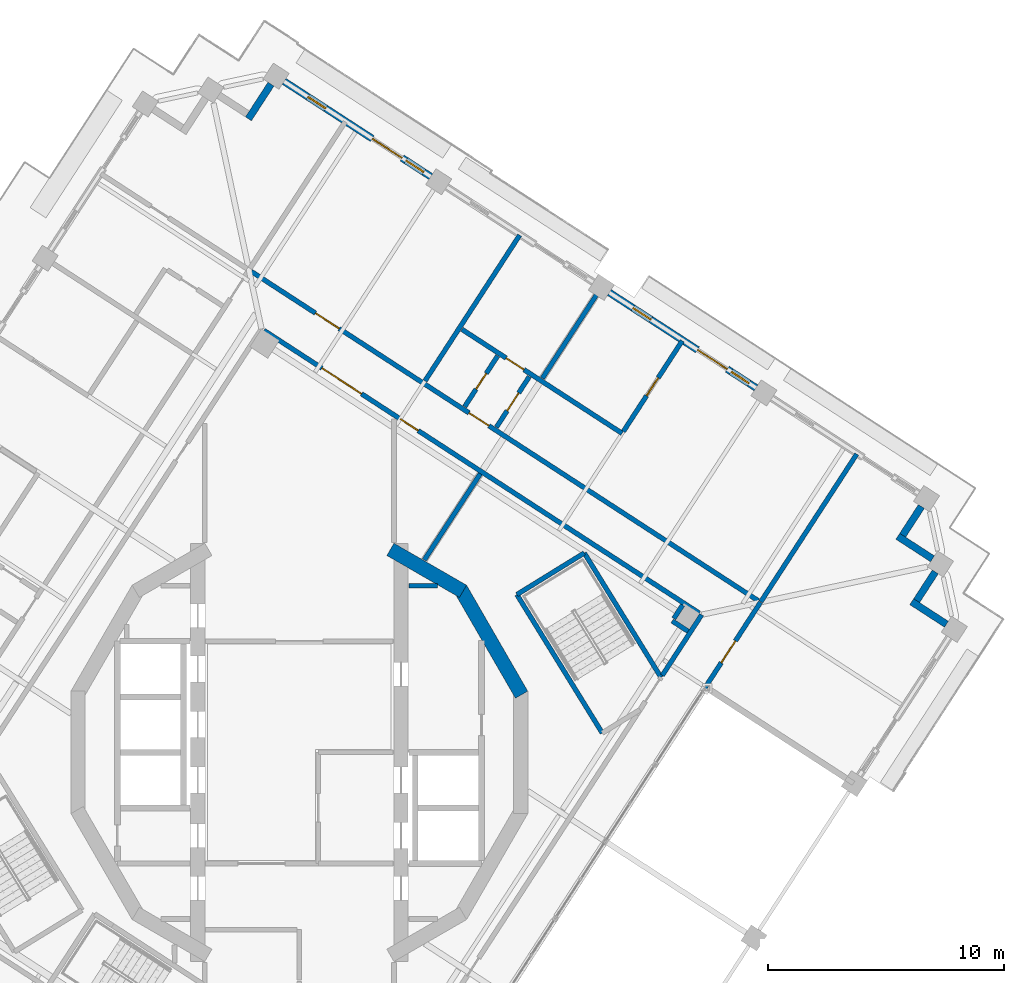
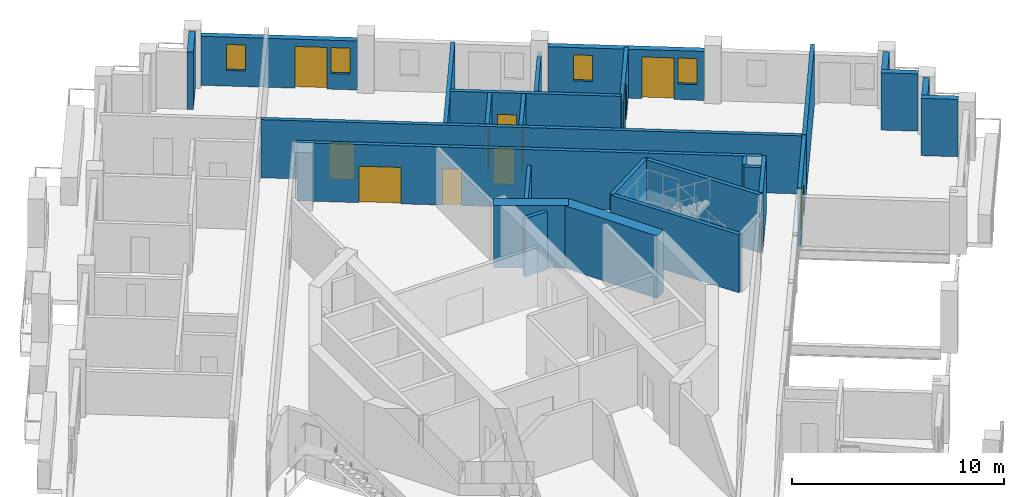
# One storey, part 10 of 17: 27 walls, 11 doors, 4 windows, 15 openings.
"""IFC4 building model written with IfcOpenShell, lengths in metres."""

from ifc_helpers import new_model, si_unit, direction, frame, frame_2d, origin, place, context, subcontext, project, spatial, rectangle, extrude, material, layer, layer_set, type_object, element, fill, save


model = new_model("IFC4")

# Units and contexts
model_context = context("Model", 3, precision=1e-05, world=origin(), true_north=direction((0.0, 1.0)))
body_context = subcontext(model_context, "Body", "Model", "MODEL_VIEW")
ifc_project = project(units=[si_unit("LENGTHUNIT", "METRE"), si_unit("AREAUNIT", "SQUARE_METRE"), si_unit("VOLUMEUNIT", "CUBIC_METRE"), si_unit("PLANEANGLEUNIT", "RADIAN"), si_unit("MASSUNIT", "GRAM", prefix="KILO")], contexts=[model_context])

# Site, building, storey
site_placement = place(None, origin())
site = spatial("IfcSite", under=ifc_project, at=site_placement, CompositionType="ELEMENT")
building_placement = place(site_placement, origin())
building = spatial("IfcBuilding", under=site, at=building_placement, Name="Cantera Rosa Tower", CompositionType="ELEMENT")
storey_placement = place(building_placement, frame((0.0, 0.0, 268.5)))
storey = spatial("IfcBuildingStorey", under=building, at=storey_placement, Name="L60", CompositionType="ELEMENT", Elevation=268.5)

# Wall, opening, door
ifc_material_1 = material(Name="Gypsum board partition")
ifc_layer_1 = layer(ifc_material_1, 0.199951171875)
ifc_layer_set_1 = layer_set([ifc_layer_1], Name="CORRIDOR WALL 200 H3350")
wall_type_1 = type_object("IfcWallType", Name="CORRIDOR WALL 200 H3350", PredefinedType="PARTITIONING", material=ifc_layer_set_1)
wall_1_placement = place(storey_placement, frame((17.106689453125, 2.656494140625, 0.0), z_axis=(0.0, 0.0, 1.0), x_axis=(0.544620124776, 0.838682848095, 0.0)))
wall_1 = element("IfcWall", 1, at=wall_1_placement, inside=storey, type_object=wall_type_1, Name="CORRIDOR WALL L60-069", PredefinedType="PARTITIONING", context=body_context, shape_type="SweptSolid", body=[
    extrude(rectangle(XDim=4.4052734375, YDim=0.199951171875, at=frame_2d((2.20263671875, 0.0))), origin(), (0.0, 0.0, 1.0), 3.35009765625),
])
opening_1_placement = place(wall_1_placement, frame((1.35498046875, 0.0, 0.0)))
opening_1 = element("IfcOpeningElement", 2, at=opening_1_placement, cuts=wall_1, Name="Opening L60-048", PredefinedType="OPENING", context=body_context, shape_type="SweptSolid", body=[
    extrude(rectangle(XDim=1.10009765625, YDim=2.10009765625, at=frame_2d((0.550048828125, 1.050048828125))), frame((0.0, 0.10986328125, 0.0), z_axis=(0.0, -1.0, 0.0), x_axis=(1.0, 0.0, 0.0)), (0.0, 0.0, 1.0), 0.219970703125),
])
ifc_material_2 = material(Name="Timber door leaf", Category="wood")
door_type_1 = type_object("IfcDoorType", Name="ROOM DOOR 1100x2100", OperationType="NOTDEFINED", PredefinedType="DOOR", material=ifc_material_2)
door_1_placement = place(opening_1_placement, origin())
door_1 = element("IfcDoor", 3, at=door_1_placement, inside=storey, type_object=door_type_1, Name="DOOR L60-048", OperationType="NOTDEFINED", OverallHeight=2.10009765625, OverallWidth=1.10009765625, PredefinedType="DOOR", context=body_context, shape_type="SweptSolid", body=[
    extrude(rectangle(XDim=1.10009765625, YDim=2.10009765625, at=frame_2d((0.550048828125, 1.050048828125))), frame((0.0, 0.02490234375, 0.0), z_axis=(0.0, -1.0, 0.0), x_axis=(1.0, 0.0, 0.0)), (0.0, 0.0, 1.0), 0.050048828125),
])
fill(opening_1, door_1)

# Wall
wall_2_placement = place(storey_placement, frame((15.349853515625, 3.256103515625, 0.0), z_axis=(0.0, 0.0, 1.0), x_axis=(0.544603984755, 0.838693328809, 0.0)))
element("IfcWall", 4, at=wall_2_placement, inside=storey, type_object=wall_type_1, Name="CORRIDOR WALL L60-096", PredefinedType="PARTITIONING", context=body_context, shape_type="SweptSolid", body=[
    extrude(rectangle(XDim=3.05908203125, YDim=0.199951171875, at=frame_2d((1.529541015625, 0.0))), origin(), (0.0, 0.0, 1.0), 3.35009765625),
])

# Wall, openings, doors
wall_3_placement = place(storey_placement, frame((16.915283203125, 5.88720703125, 0.0), z_axis=(0.0, 0.0, 1.0), x_axis=(-0.838672399173, 0.544636215161, 0.0)))
wall_3 = element("IfcWall", 5, at=wall_3_placement, inside=storey, type_object=wall_type_1, Name="CORRIDOR WALL L60-100", PredefinedType="PARTITIONING", context=body_context, shape_type="SweptSolid", body=[
    extrude(rectangle(XDim=21.9599609375, YDim=0.199951171875, at=frame_2d((10.97998046875, 0.0))), origin(), (0.0, 0.0, 1.0), 3.35009765625),
])
opening_2_placement = place(wall_3_placement, frame((14.17626953125, 0.0, 0.0)))
opening_2 = element("IfcOpeningElement", 6, at=opening_2_placement, cuts=wall_3, Name="Opening L60-004", PredefinedType="OPENING", context=body_context, shape_type="SweptSolid", body=[
    extrude(rectangle(XDim=0.89990234375, YDim=2.10009765625, at=frame_2d((0.449951171875, 1.050048828125))), frame((0.0, 0.10986328125, 0.0), z_axis=(0.0, -1.0, 0.0), x_axis=(1.0, 0.0, 0.0)), (0.0, 0.0, 1.0), 0.219970703125),
])
opening_3_placement = place(wall_3_placement, frame((17.030029296875, 0.0, 0.0)))
opening_3 = element("IfcOpeningElement", 7, at=opening_3_placement, cuts=wall_3, Name="Opening L60-008", PredefinedType="OPENING", context=body_context, shape_type="SweptSolid", body=[
    extrude(rectangle(XDim=2.0, YDim=2.10009765625, at=frame_2d((1.0, 1.050048828125))), frame((0.0, 0.10986328125, 0.0), z_axis=(0.0, -1.0, 0.0), x_axis=(1.0, 0.0, 0.0)), (0.0, 0.0, 1.0), 0.219970703125),
])
ifc_material_3 = material(Name="Steel S355J2 (EN 10025-2)", Category="steel")
door_type_2 = type_object("IfcDoorType", Name="LOBBY SCREEN DOOR 2000x2100", OperationType="NOTDEFINED", PredefinedType="DOOR", material=ifc_material_3)
door_2_placement = place(opening_3_placement, origin())
door_2 = element("IfcDoor", 8, at=door_2_placement, inside=storey, type_object=door_type_2, Name="DOOR L60-008", OperationType="NOTDEFINED", OverallHeight=2.10009765625, OverallWidth=2.0, PredefinedType="DOOR", context=body_context, shape_type="SweptSolid", body=[
    extrude(rectangle(XDim=2.0, YDim=2.10009765625, at=frame_2d((1.0, 1.050048828125))), frame((0.0, 0.02490234375, 0.0), z_axis=(0.0, -1.0, 0.0), x_axis=(1.0, 0.0, 0.0)), (0.0, 0.0, 1.0), 0.050048828125),
])
fill(opening_3, door_2)
ifc_material_4 = material(Name="Timber door leaf", Category="wood")
door_type_3 = type_object("IfcDoorType", Name="SERVICE DOOR 900x2100", OperationType="NOTDEFINED", PredefinedType="DOOR", material=ifc_material_4)
door_3_placement = place(opening_2_placement, origin())
door_3 = element("IfcDoor", 9, at=door_3_placement, inside=storey, type_object=door_type_3, Name="DOOR L60-004", OperationType="NOTDEFINED", OverallHeight=2.10009765625, OverallWidth=0.89990234375, PredefinedType="DOOR", context=body_context, shape_type="SweptSolid", body=[
    extrude(rectangle(XDim=0.89990234375, YDim=2.10009765625, at=frame_2d((0.449951171875, 1.050048828125))), frame((0.0, 0.02490234375, 0.0), z_axis=(0.0, -1.0, 0.0), x_axis=(1.0, 0.0, 0.0)), (0.0, 0.0, 1.0), 0.050048828125),
])
fill(opening_2, door_3)

wall_4_placement = place(storey_placement, frame((19.4052734375, 6.416259765625, 0.0), z_axis=(0.0, 0.0, 1.0), x_axis=(-0.838668754336, 0.544641827718, 0.0)))
wall_4 = element("IfcWall", 10, at=wall_4_placement, inside=storey, type_object=wall_type_1, Name="CORRIDOR WALL L60-101", PredefinedType="PARTITIONING", context=body_context, shape_type="SweptSolid", body=[
    extrude(rectangle(XDim=25.56005859375, YDim=0.199951171875, at=frame_2d((12.780029296875, 0.0))), origin(), (0.0, 0.0, 1.0), 3.35009765625),
])
opening_4_placement = place(wall_4_placement, frame((13.580078125, 0.0, 0.0)))
opening_4 = element("IfcOpeningElement", 11, at=opening_4_placement, cuts=wall_4, Name="Opening L60-019", PredefinedType="OPENING", context=body_context, shape_type="SweptSolid", body=[
    extrude(rectangle(XDim=1.0, YDim=2.10009765625, at=frame_2d((0.5, 1.050048828125))), frame((0.0, 0.10986328125, 0.0), z_axis=(0.0, -1.0, 0.0), x_axis=(1.0, 0.0, 0.0)), (0.0, 0.0, 1.0), 0.219970703125),
])
opening_5_placement = place(wall_4_placement, frame((21.1298828125, 0.0, 0.0)))
opening_5 = element("IfcOpeningElement", 12, at=opening_5_placement, cuts=wall_4, Name="Opening L60-024", PredefinedType="OPENING", context=body_context, shape_type="SweptSolid", body=[
    extrude(rectangle(XDim=1.199951171875, YDim=2.10009765625, at=frame_2d((0.60009765625, 1.050048828125))), frame((0.0, 0.10986328125, 0.0), z_axis=(0.0, -1.0, 0.0), x_axis=(1.0, 0.0, 0.0)), (0.0, 0.0, 1.0), 0.219970703125),
])
ifc_material_5 = material(Name="Timber door leaf", Category="wood")
door_type_4 = type_object("IfcDoorType", Name="ENTRANCE DOOR 1000x2100", OperationType="NOTDEFINED", PredefinedType="DOOR", material=ifc_material_5)
door_4_placement = place(opening_4_placement, origin())
door_4 = element("IfcDoor", 13, at=door_4_placement, inside=storey, type_object=door_type_4, Name="DOOR L60-019", OperationType="NOTDEFINED", OverallHeight=2.10009765625, OverallWidth=1.0, PredefinedType="DOOR", context=body_context, shape_type="SweptSolid", body=[
    extrude(rectangle(XDim=1.0, YDim=2.10009765625, at=frame_2d((0.5, 1.050048828125))), frame((0.0, 0.02490234375, 0.0), z_axis=(0.0, -1.0, 0.0), x_axis=(1.0, 0.0, 0.0)), (0.0, 0.0, 1.0), 0.050048828125),
])
fill(opening_4, door_4)
ifc_material_6 = material(Name="Timber door leaf", Category="wood")
door_type_5 = type_object("IfcDoorType", Name="ROOM DOOR 1200x2100", OperationType="NOTDEFINED", PredefinedType="DOOR", material=ifc_material_6)
door_5_placement = place(opening_5_placement, origin())
door_5 = element("IfcDoor", 14, at=door_5_placement, inside=storey, type_object=door_type_5, Name="DOOR L60-024", OperationType="NOTDEFINED", OverallHeight=2.10009765625, OverallWidth=1.199951171875, PredefinedType="DOOR", context=body_context, shape_type="SweptSolid", body=[
    extrude(rectangle(XDim=1.199951171875, YDim=2.10009765625, at=frame_2d((0.60009765625, 1.050048828125))), frame((0.0, 0.02490234375, 0.0), z_axis=(0.0, -1.0, 0.0), x_axis=(1.0, 0.0, 0.0)), (0.0, 0.0, 1.0), 0.050048828125),
])
fill(opening_5, door_5)

# Walls
ifc_material_7 = material(Name="Hollow clay masonry with cantera stone cladding", Category="masonry")
ifc_layer_2 = layer(ifc_material_7, 0.300048828125)
ifc_layer_set_2 = layer_set([ifc_layer_2], Name="EW-LOGGIA 300")
wall_type_2 = type_object("IfcWallType", Name="EW-LOGGIA 300", PredefinedType="SOLIDWALL", material=ifc_layer_set_2)
for number, where, z_axis, x_axis, name in (
    (15, (-1.2001953125, 28.263427734375, 0.0), (0.0, 0.0, 1.0), (-0.54461563776, -0.838685761837, 0.0), "EN-L60-W05a"),
    (16, (27.36669921875, 5.41943359375, 0.0), (0.0, 0.0, 1.0), (-0.838685761837, 0.54461563776, 0.0), "EN-L60-W25a"),
):
    element("IfcWall", number, at=place(storey_placement, frame(where, z_axis=z_axis, x_axis=x_axis)), inside=storey, type_object=wall_type_2, Name=name, PredefinedType="SOLIDWALL", context=body_context, shape_type="SweptSolid", body=[
        extrude(rectangle(XDim=1.75, YDim=0.300048828125, at=frame_2d((0.875, 0.0))), origin(), (0.0, 0.0, 1.0), 3.300048828125),
    ])
wall_5_placement = place(storey_placement, frame((26.1064453125, 6.41650390625, 0.0), z_axis=(0.0, 0.0, 1.0), x_axis=(0.54467465438, 0.838647435384, 0.0)))
element("IfcWall", 17, at=wall_5_placement, inside=storey, type_object=wall_type_2, Name="EN-L60-W25b", PredefinedType="SOLIDWALL", context=body_context, shape_type="SweptSolid", body=[
    extrude(rectangle(XDim=1.449951171875, YDim=0.300048828125, at=frame_2d((0.72509765625, 0.0))), origin(), (0.0, 0.0, 1.0), 3.300048828125),
])
wall_6_placement = place(storey_placement, frame((26.778564453125, 8.18603515625, 0.0), z_axis=(0.0, 0.0, 1.0), x_axis=(-0.838685761837, 0.54461563776, 0.0)))
element("IfcWall", 18, at=wall_6_placement, inside=storey, type_object=wall_type_2, Name="EN-L60-W26a", PredefinedType="SOLIDWALL", context=body_context, shape_type="SweptSolid", body=[
    extrude(rectangle(XDim=1.75, YDim=0.300048828125, at=frame_2d((0.875, 0.0))), origin(), (0.0, 0.0, 1.0), 3.300048828125),
])
wall_7_placement = place(storey_placement, frame((25.518310546875, 9.18310546875, 0.0), z_axis=(0.0, 0.0, 1.0), x_axis=(0.54467465438, 0.838647435384, 0.0)))
element("IfcWall", 19, at=wall_7_placement, inside=storey, type_object=wall_type_2, Name="EN-L60-W26b", PredefinedType="SOLIDWALL", context=body_context, shape_type="SweptSolid", body=[
    extrude(rectangle(XDim=1.449951171875, YDim=0.300048828125, at=frame_2d((0.72509765625, 0.0))), origin(), (0.0, 0.0, 1.0), 3.300048828125),
])

# Wall, openings, windows, door
ifc_material_8 = material(Name="Hollow clay masonry with cantera stone cladding", Category="masonry")
ifc_layer_3 = layer(ifc_material_8, 0.300048828125)
ifc_layer_set_3 = layer_set([ifc_layer_3], Name="EW-LOGGIA 300 H2820")
wall_type_3 = type_object("IfcWallType", Name="EW-LOGGIA 300 H2820", PredefinedType="SOLIDWALL", material=ifc_layer_set_3)
wall_8_placement = place(storey_placement, frame((19.3134765625, 15.418701171875, 0.0), z_axis=(0.0, 0.0, 1.0), x_axis=(-0.838679465365, 0.544625333946, 0.0)))
wall_8 = element("IfcWall", 20, at=wall_8_placement, inside=storey, type_object=wall_type_3, Name="EN-L60-W02", PredefinedType="SOLIDWALL", context=body_context, shape_type="SweptSolid", body=[
    extrude(rectangle(XDim=7.400146484375, YDim=0.300048828125, at=frame_2d((3.7001953125, 0.0))), origin(), (0.0, 0.0, 1.0), 2.820068359375),
])
opening_6_placement = place(wall_8_placement, frame((0.35009765625, 0.0, 0.89990234375)))
opening_6 = element("IfcOpeningElement", 21, at=opening_6_placement, cuts=wall_8, Name="Opening L60-W04", PredefinedType="OPENING", context=body_context, shape_type="SweptSolid", body=[
    extrude(rectangle(XDim=0.89990234375, YDim=1.5, at=frame_2d((0.449951171875, 0.75))), frame((0.0, 0.159912109375, 0.0), z_axis=(0.0, -1.0, 0.0), x_axis=(1.0, 0.0, 0.0)), (0.0, 0.0, 1.0), 0.320068359375),
])
opening_7_placement = place(wall_8_placement, frame((1.449951171875, 0.0, 0.0)))
opening_7 = element("IfcOpeningElement", 22, at=opening_7_placement, cuts=wall_8, Name="Opening L60-TD05", PredefinedType="OPENING", context=body_context, shape_type="SweptSolid", body=[
    extrude(rectangle(XDim=1.5, YDim=2.39990234375, at=frame_2d((0.75, 1.199951171875))), frame((0.0, 0.159912109375, 0.0), z_axis=(0.0, -1.0, 0.0), x_axis=(1.0, 0.0, 0.0)), (0.0, 0.0, 1.0), 0.320068359375),
])
opening_8_placement = place(wall_8_placement, frame((5.300048828125, 0.0, 0.89990234375)))
opening_8 = element("IfcOpeningElement", 23, at=opening_8_placement, cuts=wall_8, Name="Opening L60-W06", PredefinedType="OPENING", context=body_context, shape_type="SweptSolid", body=[
    extrude(rectangle(XDim=0.89990234375, YDim=1.5, at=frame_2d((0.449951171875, 0.75))), frame((0.0, 0.159912109375, 0.0), z_axis=(0.0, -1.0, 0.0), x_axis=(1.0, 0.0, 0.0)), (0.0, 0.0, 1.0), 0.320068359375),
])
ifc_material_9 = material(Name="Aluminium frame with clear glass", Category="aluminium")
window_type = type_object("IfcWindowType", Name="Residential window 900x1500", PartitioningType="SINGLE_PANEL", PredefinedType="WINDOW", material=ifc_material_9)
window_1_placement = place(opening_6_placement, origin())
window_1 = element("IfcWindow", 24, at=window_1_placement, inside=storey, type_object=window_type, Name="WINDOW L60-W04", OverallHeight=1.5, OverallWidth=0.89990234375, PartitioningType="SINGLE_PANEL", PredefinedType="WINDOW", context=body_context, shape_type="SweptSolid", body=[
    extrude(rectangle(XDim=0.89990234375, YDim=1.5, at=frame_2d((0.449951171875, 0.75))), frame((0.0, 0.030029296875, 0.0), z_axis=(0.0, -1.0, 0.0), x_axis=(1.0, 0.0, 0.0)), (0.0, 0.0, 1.0), 0.06005859375),
])
fill(opening_6, window_1)
window_2_placement = place(opening_8_placement, origin())
window_2 = element("IfcWindow", 25, at=window_2_placement, inside=storey, type_object=window_type, Name="WINDOW L60-W06", OverallHeight=1.5, OverallWidth=0.89990234375, PartitioningType="SINGLE_PANEL", PredefinedType="WINDOW", context=body_context, shape_type="SweptSolid", body=[
    extrude(rectangle(XDim=0.89990234375, YDim=1.5, at=frame_2d((0.449951171875, 0.75))), frame((0.0, 0.030029296875, 0.0), z_axis=(0.0, -1.0, 0.0), x_axis=(1.0, 0.0, 0.0)), (0.0, 0.0, 1.0), 0.06005859375),
])
fill(opening_8, window_2)
ifc_material_10 = material(Name="Aluminium frame with clear glass", Category="aluminium")
door_type_6 = type_object("IfcDoorType", Name="TD-R 1500x2400", OperationType="NOTDEFINED", PredefinedType="DOOR", material=ifc_material_10)
door_6_placement = place(opening_7_placement, origin())
door_6 = element("IfcDoor", 26, at=door_6_placement, inside=storey, type_object=door_type_6, Name="LOGGIA DOOR L60-TD05", OperationType="SLIDING_TO_LEFT", OverallHeight=2.39990234375, OverallWidth=1.5, PredefinedType="DOOR", context=body_context, shape_type="SweptSolid", body=[
    extrude(rectangle(XDim=1.5, YDim=2.39990234375, at=frame_2d((0.75, 1.199951171875))), frame((0.0, 0.02490234375, 0.0), z_axis=(0.0, -1.0, 0.0), x_axis=(1.0, 0.0, 0.0)), (0.0, 0.0, 1.0), 0.050048828125),
])
fill(opening_7, door_6)

wall_9_placement = place(storey_placement, frame((5.559326171875, 24.350830078125, 0.0), z_axis=(0.0, 0.0, 1.0), x_axis=(-0.838679465365, 0.544625333946, 0.0)))
wall_9 = element("IfcWall", 27, at=wall_9_placement, inside=storey, type_object=wall_type_3, Name="EN-L60-W04", PredefinedType="SOLIDWALL", context=body_context, shape_type="SweptSolid", body=[
    extrude(rectangle(XDim=7.400146484375, YDim=0.300048828125, at=frame_2d((3.7001953125, 0.0))), origin(), (0.0, 0.0, 1.0), 2.820068359375),
])
opening_9_placement = place(wall_9_placement, frame((0.35009765625, 0.0, 0.89990234375)))
opening_9 = element("IfcOpeningElement", 28, at=opening_9_placement, cuts=wall_9, Name="Opening L60-W10", PredefinedType="OPENING", context=body_context, shape_type="SweptSolid", body=[
    extrude(rectangle(XDim=0.89990234375, YDim=1.5, at=frame_2d((0.449951171875, 0.75))), frame((0.0, 0.159912109375, 0.0), z_axis=(0.0, -1.0, 0.0), x_axis=(1.0, 0.0, 0.0)), (0.0, 0.0, 1.0), 0.320068359375),
])
opening_10_placement = place(wall_9_placement, frame((1.449951171875, 0.0, 0.0)))
opening_10 = element("IfcOpeningElement", 29, at=opening_10_placement, cuts=wall_9, Name="Opening L60-TD11", PredefinedType="OPENING", context=body_context, shape_type="SweptSolid", body=[
    extrude(rectangle(XDim=1.5, YDim=2.39990234375, at=frame_2d((0.75, 1.199951171875))), frame((0.0, 0.159912109375, 0.0), z_axis=(0.0, -1.0, 0.0), x_axis=(1.0, 0.0, 0.0)), (0.0, 0.0, 1.0), 0.320068359375),
])
opening_11_placement = place(wall_9_placement, frame((5.300048828125, 0.0, 0.89990234375)))
opening_11 = element("IfcOpeningElement", 30, at=opening_11_placement, cuts=wall_9, Name="Opening L60-W12", PredefinedType="OPENING", context=body_context, shape_type="SweptSolid", body=[
    extrude(rectangle(XDim=0.89990234375, YDim=1.5, at=frame_2d((0.449951171875, 0.75))), frame((0.0, 0.159912109375, 0.0), z_axis=(0.0, -1.0, 0.0), x_axis=(1.0, 0.0, 0.0)), (0.0, 0.0, 1.0), 0.320068359375),
])
window_3_placement = place(opening_9_placement, origin())
window_3 = element("IfcWindow", 31, at=window_3_placement, inside=storey, type_object=window_type, Name="WINDOW L60-W10", OverallHeight=1.5, OverallWidth=0.89990234375, PartitioningType="SINGLE_PANEL", PredefinedType="WINDOW", context=body_context, shape_type="SweptSolid", body=[
    extrude(rectangle(XDim=0.89990234375, YDim=1.5, at=frame_2d((0.449951171875, 0.75))), frame((0.0, 0.030029296875, 0.0), z_axis=(0.0, -1.0, 0.0), x_axis=(1.0, 0.0, 0.0)), (0.0, 0.0, 1.0), 0.06005859375),
])
fill(opening_9, window_3)
window_4_placement = place(opening_11_placement, origin())
window_4 = element("IfcWindow", 32, at=window_4_placement, inside=storey, type_object=window_type, Name="WINDOW L60-W12", OverallHeight=1.5, OverallWidth=0.89990234375, PartitioningType="SINGLE_PANEL", PredefinedType="WINDOW", context=body_context, shape_type="SweptSolid", body=[
    extrude(rectangle(XDim=0.89990234375, YDim=1.5, at=frame_2d((0.449951171875, 0.75))), frame((0.0, 0.030029296875, 0.0), z_axis=(0.0, -1.0, 0.0), x_axis=(1.0, 0.0, 0.0)), (0.0, 0.0, 1.0), 0.06005859375),
])
fill(opening_11, window_4)
door_7_placement = place(opening_10_placement, origin())
door_7 = element("IfcDoor", 33, at=door_7_placement, inside=storey, type_object=door_type_6, Name="LOGGIA DOOR L60-TD11", OperationType="SLIDING_TO_LEFT", OverallHeight=2.39990234375, OverallWidth=1.5, PredefinedType="DOOR", context=body_context, shape_type="SweptSolid", body=[
    extrude(rectangle(XDim=1.5, YDim=2.39990234375, at=frame_2d((0.75, 1.199951171875))), frame((0.0, 0.02490234375, 0.0), z_axis=(0.0, -1.0, 0.0), x_axis=(1.0, 0.0, 0.0)), (0.0, 0.0, 1.0), 0.050048828125),
])
fill(opening_10, door_7)

# Walls
ifc_material_11 = material(Name="Gypsum board partition")
ifc_layer_4 = layer(ifc_material_11, 0.199951171875)
ifc_layer_set_4 = layer_set([ifc_layer_4], Name="PARTITION 200 H2450")
wall_type_4 = type_object("IfcWallType", Name="PARTITION 200 H2450", PredefinedType="PARTITIONING", material=ifc_layer_set_4)
wall_10_placement = place(storey_placement, frame((7.652099609375, 11.783203125, 0.0), z_axis=(0.0, 0.0, 1.0), x_axis=(-0.544629041503, -0.838677057724, 0.0)))
element("IfcWall", 34, at=wall_10_placement, inside=storey, type_object=wall_type_4, Name="PARTITION L60-082", PredefinedType="PARTITIONING", context=body_context, shape_type="SweptSolid", body=[
    extrude(rectangle(XDim=4.347412109375, YDim=0.199951171875, at=frame_2d((2.173828125, 0.0))), origin(), (0.0, 0.0, 1.0), 2.449951171875),
])
wall_11_placement = place(storey_placement, frame((12.75537109375, 19.6416015625, 0.0), z_axis=(0.0, 0.0, 1.0), x_axis=(-0.544629951314, -0.8386764669, 0.0)))
element("IfcWall", 35, at=wall_11_placement, inside=storey, type_object=wall_type_4, Name="PARTITION L60-091", PredefinedType="PARTITIONING", context=body_context, shape_type="SweptSolid", body=[
    extrude(rectangle(XDim=4.550048828125, YDim=0.199951171875, at=frame_2d((2.27490234375, 0.0))), origin(), (0.0, 0.0, 1.0), 2.449951171875),
])

# Wall, opening, door
ifc_material_12 = material(Name="Gypsum board partition")
ifc_layer_5 = layer(ifc_material_12, 0.199951171875)
ifc_layer_set_5 = layer_set([ifc_layer_5], Name="PARTITION 200 H2850")
wall_type_5 = type_object("IfcWallType", Name="PARTITION 200 H2850", PredefinedType="PARTITIONING", material=ifc_layer_set_5)
wall_12_placement = place(storey_placement, frame((16.194091796875, 17.40869140625, 0.0), z_axis=(0.0, 0.0, 1.0), x_axis=(-0.544637163551, -0.838671783285, 0.0)))
wall_12 = element("IfcWall", 36, at=wall_12_placement, inside=storey, type_object=wall_type_5, Name="PARTITION L60-098", PredefinedType="PARTITIONING", context=body_context, shape_type="SweptSolid", body=[
    extrude(rectangle(XDim=4.570068359375, YDim=0.199951171875, at=frame_2d((2.28515625, 0.0))), origin(), (0.0, 0.0, 1.0), 2.85009765625),
])
opening_12_placement = place(wall_12_placement, frame((1.8701171875, 0.0, 0.0)))
opening_12 = element("IfcOpeningElement", 37, at=opening_12_placement, cuts=wall_12, Name="Opening L60-023", PredefinedType="OPENING", context=body_context, shape_type="SweptSolid", body=[
    extrude(rectangle(XDim=0.89990234375, YDim=2.10009765625, at=frame_2d((0.449951171875, 1.050048828125))), frame((0.0, 0.10986328125, 0.0), z_axis=(0.0, -1.0, 0.0), x_axis=(1.0, 0.0, 0.0)), (0.0, 0.0, 1.0), 0.219970703125),
])
ifc_material_13 = material(Name="Timber door leaf", Category="wood")
door_type_7 = type_object("IfcDoorType", Name="ROOM DOOR 900x2100", OperationType="NOTDEFINED", PredefinedType="DOOR", material=ifc_material_13)
door_8_placement = place(opening_12_placement, origin())
door_8 = element("IfcDoor", 38, at=door_8_placement, inside=storey, type_object=door_type_7, Name="DOOR L60-023", OperationType="NOTDEFINED", OverallHeight=2.10009765625, OverallWidth=0.89990234375, PredefinedType="DOOR", context=body_context, shape_type="SweptSolid", body=[
    extrude(rectangle(XDim=0.89990234375, YDim=2.10009765625, at=frame_2d((0.449951171875, 1.050048828125))), frame((0.0, 0.02490234375, 0.0), z_axis=(0.0, -1.0, 0.0), x_axis=(1.0, 0.0, 0.0)), (0.0, 0.0, 1.0), 0.050048828125),
])
fill(opening_12, door_8)

# Wall
ifc_material_14 = material(Name="Gypsum board partition")
ifc_layer_6 = layer(ifc_material_14, 0.199951171875)
ifc_layer_set_6 = layer_set([ifc_layer_6], Name="PARTITION 200 H3350")
wall_type_6 = type_object("IfcWallType", Name="PARTITION 200 H3350", PredefinedType="PARTITIONING", material=ifc_layer_set_6)
wall_13_placement = place(storey_placement, frame((4.6298828125, 7.050048828125, 0.0), z_axis=(0.0, 0.0, 1.0), x_axis=(1.0, 0.0, 0.0)))
element("IfcWall", 39, at=wall_13_placement, inside=storey, type_object=wall_type_6, Name="PARTITION L60-074", PredefinedType="PARTITIONING", context=body_context, shape_type="SweptSolid", body=[
    extrude(rectangle(XDim=1.2177734375, YDim=0.199951171875, at=frame_2d((0.60888671875, 0.0))), origin(), (0.0, 0.0, 1.0), 3.35009765625),
])

# Wall, opening, door
wall_14_placement = place(storey_placement, frame((6.8740234375, 17.892578125, 0.0), z_axis=(0.0, 0.0, 1.0), x_axis=(0.838683778362, -0.544618692218, 0.0)))
wall_14 = element("IfcWall", 40, at=wall_14_placement, inside=storey, type_object=wall_type_6, Name="PARTITION L60-078", PredefinedType="PARTITIONING", context=body_context, shape_type="SweptSolid", body=[
    extrude(rectangle(XDim=8.079833984375, YDim=0.199951171875, at=frame_2d((4.0400390625, 0.0))), origin(), (0.0, 0.0, 1.0), 3.35009765625),
])
opening_13_placement = place(wall_14_placement, frame((2.22998046875, 0.0, 0.0)))
opening_13 = element("IfcOpeningElement", 41, at=opening_13_placement, cuts=wall_14, Name="Opening L60-022", PredefinedType="OPENING", context=body_context, shape_type="SweptSolid", body=[
    extrude(rectangle(XDim=0.89990234375, YDim=2.10009765625, at=frame_2d((0.449951171875, 1.050048828125))), frame((0.0, 0.10986328125, 0.0), z_axis=(0.0, -1.0, 0.0), x_axis=(1.0, 0.0, 0.0)), (0.0, 0.0, 1.0), 0.219970703125),
])
door_9_placement = place(opening_13_placement, origin())
door_9 = element("IfcDoor", 42, at=door_9_placement, inside=storey, type_object=door_type_7, Name="DOOR L60-022", OperationType="NOTDEFINED", OverallHeight=2.10009765625, OverallWidth=0.89990234375, PredefinedType="DOOR", context=body_context, shape_type="SweptSolid", body=[
    extrude(rectangle(XDim=0.89990234375, YDim=2.10009765625, at=frame_2d((0.449951171875, 1.050048828125))), frame((0.0, 0.02490234375, 0.0), z_axis=(0.0, -1.0, 0.0), x_axis=(1.0, 0.0, 0.0)), (0.0, 0.0, 1.0), 0.050048828125),
])
fill(opening_13, door_9)

wall_15_placement = place(storey_placement, frame((8.385498046875, 16.768310546875, 0.0), z_axis=(0.0, 0.0, 1.0), x_axis=(-0.544602829464, -0.838694078994, 0.0)))
wall_15 = element("IfcWall", 43, at=wall_15_placement, inside=storey, type_object=wall_type_6, Name="PARTITION L60-084", PredefinedType="PARTITIONING", context=body_context, shape_type="SweptSolid", body=[
    extrude(rectangle(XDim=2.560302734375, YDim=0.199951171875, at=frame_2d((1.2802734375, 0.0))), origin(), (0.0, 0.0, 1.0), 3.35009765625),
])
opening_14_placement = place(wall_15_placement, frame((0.8798828125, 0.0, 0.0)))
opening_14 = element("IfcOpeningElement", 44, at=opening_14_placement, cuts=wall_15, Name="Opening L60-020", PredefinedType="OPENING", context=body_context, shape_type="SweptSolid", body=[
    extrude(rectangle(XDim=0.800048828125, YDim=2.10009765625, at=frame_2d((0.39990234375, 1.050048828125))), frame((0.0, 0.10986328125, 0.0), z_axis=(0.0, -1.0, 0.0), x_axis=(1.0, 0.0, 0.0)), (0.0, 0.0, 1.0), 0.219970703125),
])
ifc_material_15 = material(Name="Timber door leaf", Category="wood")
door_type_8 = type_object("IfcDoorType", Name="BATHROOM DOOR 800x2100", OperationType="NOTDEFINED", PredefinedType="DOOR", material=ifc_material_15)
door_10_placement = place(opening_14_placement, origin())
door_10 = element("IfcDoor", 45, at=door_10_placement, inside=storey, type_object=door_type_8, Name="DOOR L60-020", OperationType="NOTDEFINED", OverallHeight=2.10009765625, OverallWidth=0.800048828125, PredefinedType="DOOR", context=body_context, shape_type="SweptSolid", body=[
    extrude(rectangle(XDim=0.800048828125, YDim=2.10009765625, at=frame_2d((0.39990234375, 1.050048828125))), frame((0.0, 0.02490234375, 0.0), z_axis=(0.0, -1.0, 0.0), x_axis=(1.0, 0.0, 0.0)), (0.0, 0.0, 1.0), 0.050048828125),
])
fill(opening_14, door_10)

wall_16_placement = place(storey_placement, frame((9.727294921875, 15.896728515625, 0.0), z_axis=(0.0, 0.0, 1.0), x_axis=(-0.544646388536, -0.838665792468, 0.0)))
wall_16 = element("IfcWall", 46, at=wall_16_placement, inside=storey, type_object=wall_type_6, Name="PARTITION L60-087", PredefinedType="PARTITIONING", context=body_context, shape_type="SweptSolid", body=[
    extrude(rectangle(XDim=2.56005859375, YDim=0.199951171875, at=frame_2d((1.280029296875, 0.0))), origin(), (0.0, 0.0, 1.0), 3.35009765625),
])
opening_15_placement = place(wall_16_placement, frame((0.830078125, 0.0, 0.0)))
opening_15 = element("IfcOpeningElement", 47, at=opening_15_placement, cuts=wall_16, Name="Opening L60-021", PredefinedType="OPENING", context=body_context, shape_type="SweptSolid", body=[
    extrude(rectangle(XDim=0.89990234375, YDim=2.10009765625, at=frame_2d((0.449951171875, 1.050048828125))), frame((0.0, 0.10986328125, 0.0), z_axis=(0.0, -1.0, 0.0), x_axis=(1.0, 0.0, 0.0)), (0.0, 0.0, 1.0), 0.219970703125),
])
door_11_placement = place(opening_15_placement, origin())
door_11 = element("IfcDoor", 48, at=door_11_placement, inside=storey, type_object=door_type_7, Name="DOOR L60-021", OperationType="NOTDEFINED", OverallHeight=2.10009765625, OverallWidth=0.89990234375, PredefinedType="DOOR", context=body_context, shape_type="SweptSolid", body=[
    extrude(rectangle(XDim=0.89990234375, YDim=2.10009765625, at=frame_2d((0.449951171875, 1.050048828125))), frame((0.0, 0.02490234375, 0.0), z_axis=(0.0, -1.0, 0.0), x_axis=(1.0, 0.0, 0.0)), (0.0, 0.0, 1.0), 0.050048828125),
])
fill(opening_15, door_11)

# Walls
wall_17_placement = place(storey_placement, frame((15.77099609375, 5.55712890625, 0.0), z_axis=(0.0, 0.0, 1.0), x_axis=(0.838610911516, -0.544730886847, 0.0)))
element("IfcWall", 49, at=wall_17_placement, inside=storey, type_object=wall_type_6, Name="PARTITION L60-097", PredefinedType="PARTITIONING", context=body_context, shape_type="SweptSolid", body=[
    extrude(rectangle(XDim=0.800048828125, YDim=0.199951171875, at=frame_2d((0.39990234375, 0.0))), origin(), (0.0, 0.0, 1.0), 3.35009765625),
])
wall_18_placement = place(storey_placement, frame((16.20654296875, 6.22802734375, 0.0), z_axis=(0.0, 0.0, 1.0), x_axis=(-0.544634959849, -0.838673214375, 0.0)))
element("IfcWall", 50, at=wall_18_placement, inside=storey, type_object=wall_type_6, Name="PARTITION L60-099", PredefinedType="PARTITIONING", context=body_context, shape_type="SweptSolid", body=[
    extrude(rectangle(XDim=0.679931640625, YDim=0.199951171875, at=frame_2d((0.33984375, 0.0))), origin(), (0.0, 0.0, 1.0), 3.35009765625),
])
ifc_material_16 = material(Name="Gypsum board partition")
ifc_layer_7 = layer(ifc_material_16, 0.199951171875)
ifc_layer_set_7 = layer_set([ifc_layer_7], Name="PARTY WALL 200 H2850")
wall_type_7 = type_object("IfcWallType", Name="PARTY WALL 200 H2850", PredefinedType="PARTITIONING", material=ifc_layer_set_7)
wall_19_placement = place(storey_placement, frame((5.313720703125, 15.71044921875, 0.0), z_axis=(0.0, 0.0, 1.0), x_axis=(0.544641550729, 0.838668934217, 0.0)))
element("IfcWall", 51, at=wall_19_placement, inside=storey, type_object=wall_type_7, Name="PARTY WALL L60-076", PredefinedType="PARTITIONING", context=body_context, shape_type="SweptSolid", body=[
    extrude(rectangle(XDim=7.35009765625, YDim=0.199951171875, at=frame_2d((3.675048828125, 0.0))), origin(), (0.0, 0.0, 1.0), 2.85009765625),
])
ifc_material_17 = material(Name="Gypsum board partition")
ifc_layer_8 = layer(ifc_material_17, 0.199951171875)
ifc_layer_set_8 = layer_set([ifc_layer_8], Name="PARTY WALL 200 H3350")
wall_type_8 = type_object("IfcWallType", Name="PARTY WALL 200 H3350", PredefinedType="PARTITIONING", material=ifc_layer_set_8)
wall_20_placement = place(storey_placement, frame((23.57421875, 12.61572265625, 0.0), z_axis=(0.0, 0.0, 1.0), x_axis=(-0.544647353083, -0.83866516607, 0.0)))
element("IfcWall", 52, at=wall_20_placement, inside=storey, type_object=wall_type_8, Name="PARTY WALL L60-103", PredefinedType="PARTITIONING", context=body_context, shape_type="SweptSolid", body=[
    extrude(rectangle(XDim=7.449951171875, YDim=0.199951171875, at=frame_2d((3.72509765625, 0.0))), origin(), (0.0, 0.0, 1.0), 3.35009765625),
])
ifc_material_18 = material(Name="Concrete C50/60", Category="concrete")
ifc_layer_9 = layer(ifc_material_18, 0.60009765625)
ifc_layer_set_9 = layer_set([ifc_layer_9], Name="RC CORE WALL 600 C50/60")
wall_type_9 = type_object("IfcWallType", Name="RC CORE WALL 600 C50/60", PredefinedType="SHEAR", material=ifc_layer_set_9)
wall_21_placement = place(storey_placement, frame((3.85009765625, 8.584228515625, 0.0), z_axis=(0.0, 0.0, 1.0), x_axis=(0.866039982607, -0.499974747889, 0.0)))
element("IfcWall", 53, at=wall_21_placement, inside=storey, type_object=wall_type_9, Name="CW-E1 L60", PredefinedType="SHEAR", context=body_context, shape_type="SweptSolid", body=[
    extrude(rectangle(XDim=3.546142578125, YDim=0.60009765625, at=frame_2d((1.77294921875, 0.0))), origin(), (0.0, 0.0, 1.0), 3.60009765625),
])
wall_22_placement = place(storey_placement, frame((6.811279296875, 6.921142578125, 0.0), z_axis=(0.0, 0.0, 1.0), x_axis=(0.499989188378, -0.866031645787, 0.0)))
element("IfcWall", 54, at=wall_22_placement, inside=storey, type_object=wall_type_9, Name="CW-E2 L60", PredefinedType="SHEAR", context=body_context, shape_type="SweptSolid", body=[
    extrude(rectangle(XDim=5.17626953125, YDim=0.60009765625, at=frame_2d((2.588134765625, 0.0))), origin(), (0.0, 0.0, 1.0), 3.60009765625),
])
ifc_material_19 = material(Name="Concrete C50/60", Category="concrete")
ifc_layer_10 = layer(ifc_material_19, 0.199951171875)
ifc_layer_set_10 = layer_set([ifc_layer_10], Name="STAIR WALL 200 H3350")
wall_type_10 = type_object("IfcWallType", Name="STAIR WALL 200 H3350", PredefinedType="SOLIDWALL", material=ifc_layer_set_10)
wall_23_placement = place(storey_placement, frame((9.199462890625, 6.674072265625, 0.0), z_axis=(0.0, 0.0, 1.0), x_axis=(0.524972254536, -0.851119340614, 0.0)))
element("IfcWall", 55, at=wall_23_placement, inside=storey, type_object=wall_type_10, Name="STAIR WALL L60-086", PredefinedType="SOLIDWALL", context=body_context, shape_type="SweptSolid", body=[
    extrude(rectangle(XDim=6.880126953125, YDim=0.199951171875, at=frame_2d((3.43994140625, 0.0))), origin(), (0.0, 0.0, 1.0), 3.35009765625),
])
wall_24_placement = place(storey_placement, frame((12.05078125, 8.4326171875, 0.0), z_axis=(0.0, 0.0, 1.0), x_axis=(-0.85113993661, -0.524938861495, 0.0)))
element("IfcWall", 56, at=wall_24_placement, inside=storey, type_object=wall_type_10, Name="STAIR WALL L60-090", PredefinedType="SOLIDWALL", context=body_context, shape_type="SweptSolid", body=[
    extrude(rectangle(XDim=3.35009765625, YDim=0.199951171875, at=frame_2d((1.675048828125, 0.0))), origin(), (0.0, 0.0, 1.0), 3.35009765625),
])
wall_25_placement = place(storey_placement, frame((15.29541015625, 3.17236328125, 0.0), z_axis=(0.0, 0.0, 1.0), x_axis=(-0.524983142341, 0.851112624896, 0.0)))
element("IfcWall", 57, at=wall_25_placement, inside=storey, type_object=wall_type_10, Name="STAIR WALL L60-095", PredefinedType="SOLIDWALL", context=body_context, shape_type="SweptSolid", body=[
    extrude(rectangle(XDim=6.180419921875, YDim=0.199951171875, at=frame_2d((3.09033203125, 0.0))), origin(), (0.0, 0.0, 1.0), 3.35009765625),
])

save(model, "model.ifc")
